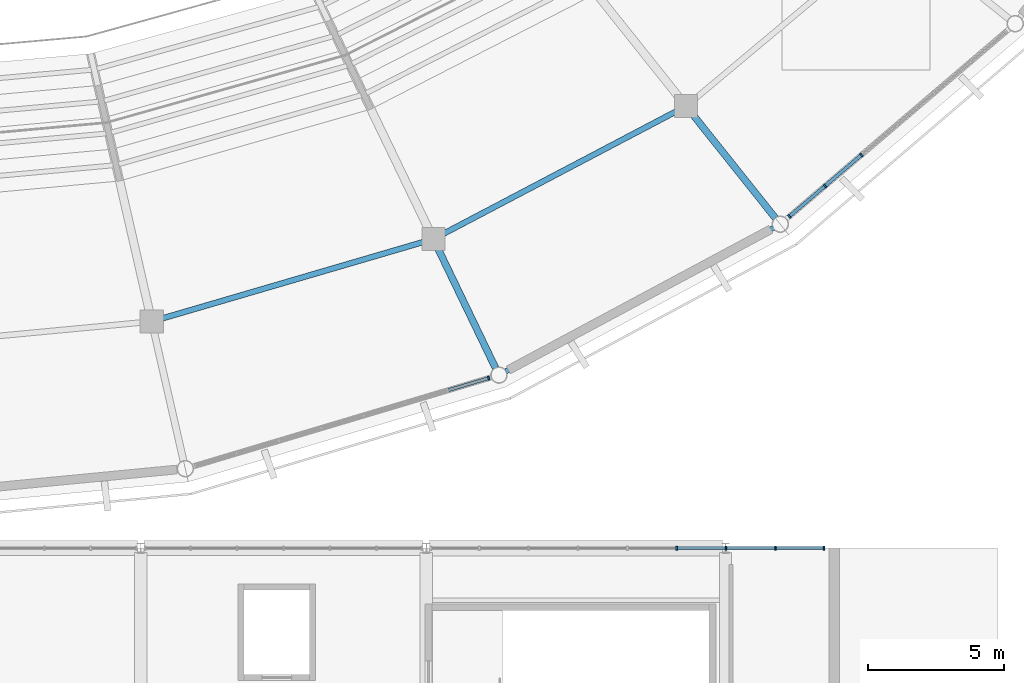
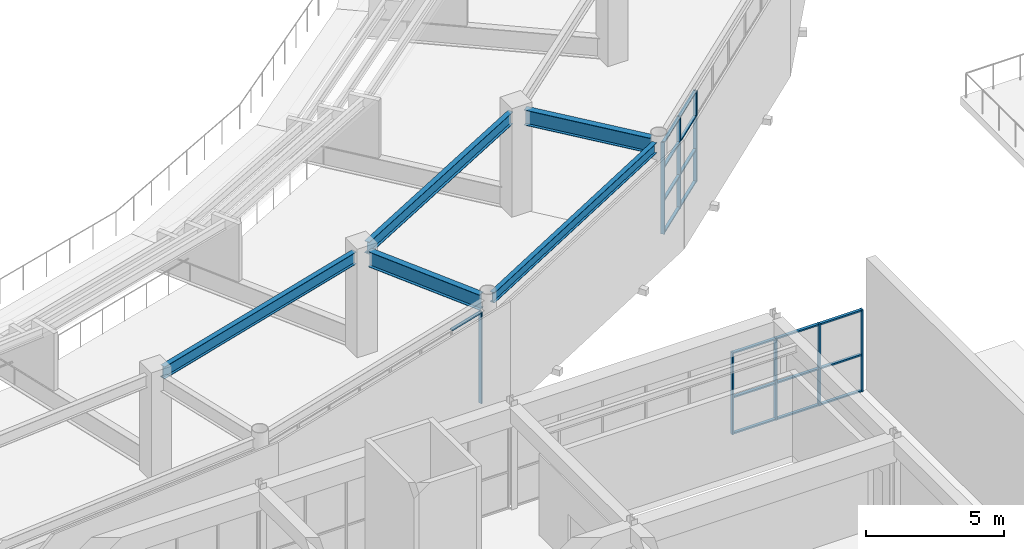
# One storey, part 37 of 122: 26 members, 5 beams, 3 elements without a shape of their own.
"""IFC4 building model written with IfcOpenShell, lengths in metres."""

from ifc_helpers import new_model, si_unit, direction, frame, origin, origin_2d, place, context, subcontext, project, spatial, rectangle, i_section, extrude, material, material_profile, profile_set, type_object, element, aggregate, save


model = new_model("IFC4")

# Units and contexts
model_context = context("Model", 3, precision=1e-05, world=origin(), true_north=direction((0.0, 1.0)))
body_context = subcontext(model_context, "Body", "Model", "MODEL_VIEW")
ifc_project = project(units=[si_unit("LENGTHUNIT", "METRE"), si_unit("AREAUNIT", "SQUARE_METRE"), si_unit("VOLUMEUNIT", "CUBIC_METRE"), si_unit("PLANEANGLEUNIT", "RADIAN"), si_unit("MASSUNIT", "GRAM", prefix="KILO")], contexts=[model_context])

# Site, building, storey
site_placement = place(None, origin())
site = spatial("IfcSite", under=ifc_project, at=site_placement, CompositionType="ELEMENT")
building_placement = place(site_placement, origin())
building = spatial("IfcBuilding", under=site, at=building_placement, Name="Cuetzalor Civic Arena", CompositionType="ELEMENT")
storey_placement = place(building_placement, frame((0.0, 0.0, 16.199951171875)))
storey = spatial("IfcBuildingStorey", under=building, at=storey_placement, Name="L03", CompositionType="ELEMENT", Elevation=16.199951171875)

# Curtain wall, member
ifc_material_1 = material(Name="Anodised dark bronze aluminium and low-E solar glass", Category="aluminium")
curtain_wall_type_1 = type_object("IfcCurtainWallType", Name="UnitisedCW_11300x4050", PredefinedType="USERDEFINED", material=ifc_material_1)
curtain_wall_1_placement = place(storey_placement, origin())
curtain_wall_1 = element("IfcCurtainWall", 1, at=curtain_wall_1_placement, inside=storey, type_object=curtain_wall_type_1, Name="Drum Triangle Foyer Curtain Wall L03-054", ObjectType="UNITISED CURTAIN WALL", PredefinedType="USERDEFINED")
ifc_material_2 = material(Name="Anodised dark bronze aluminium", Category="aluminium")
ifc_material_profile_1 = material_profile(ifc_material_2, rectangle(XDim=0.06494140625, YDim=0.14990234375, at=origin_2d()), Name="ALU MULLION 65x150")
ifc_profile_set_1 = profile_set([ifc_material_profile_1], Name="Anodised dark bronze aluminium")
member_type_1 = type_object("IfcMemberType", Name="CurtainWallMullion_60x150", PredefinedType="MULLION", material=ifc_profile_set_1)
member_1_placement = place(storey_placement, frame((23.290771484375, -42.052734375, 0.0), z_axis=(0.0, 0.0, 1.0), x_axis=(-0.958193690548, -0.286120344251, 0.0)))
member_1 = element("IfcMember", 2, at=member_1_placement, type_object=member_type_1, Name="CW-15 mullion 1", PredefinedType="MULLION", context=body_context, shape_type="SweptSolid", body=[
    extrude(rectangle(XDim=0.06494140625, YDim=0.14990234375, at=origin_2d()), origin(), (0.0, 0.0, 1.0), 4.052978515625),
])

# Curtain wall, members
ifc_material_3 = material(Name="Anodised dark bronze aluminium and low-E solar glass", Category="aluminium")
curtain_wall_type_2 = type_object("IfcCurtainWallType", Name="UnitisedCW_10550x4050", PredefinedType="USERDEFINED", material=ifc_material_3)
curtain_wall_2_placement = place(storey_placement, origin())
curtain_wall_2 = element("IfcCurtainWall", 3, at=curtain_wall_2_placement, inside=storey, type_object=curtain_wall_type_2, Name="Drum Triangle Foyer Curtain Wall L03-055", ObjectType="UNITISED CURTAIN WALL", PredefinedType="USERDEFINED")
member_2_placement = place(storey_placement, frame((36.9951171875, -33.84814453125, 0.0), z_axis=(0.0, 0.0, 1.0), x_axis=(-0.760677142663, -0.64913040649, 0.0)))
member_2 = element("IfcMember", 4, at=member_2_placement, type_object=member_type_1, Name="CW-16 mullion 5", PredefinedType="MULLION", context=body_context, shape_type="SweptSolid", body=[
    extrude(rectangle(XDim=0.06494140625, YDim=0.14990234375, at=origin_2d()), origin(), (0.0, 0.0, 1.0), 4.052978515625),
])
member_3_placement = place(storey_placement, frame((35.659912109375, -34.987548828125, 0.0), z_axis=(0.0, 0.0, 1.0), x_axis=(-0.760677142663, -0.64913040649, 0.0)))
member_3 = element("IfcMember", 5, at=member_3_placement, type_object=member_type_1, Name="CW-16 mullion 6", PredefinedType="MULLION", context=body_context, shape_type="SweptSolid", body=[
    extrude(rectangle(XDim=0.06494140625, YDim=0.14990234375, at=origin_2d()), origin(), (0.0, 0.0, 1.0), 4.052978515625),
])
member_4_placement = place(storey_placement, frame((34.349609375, -36.105712890625, 0.0), z_axis=(0.0, 0.0, 1.0), x_axis=(-0.760677142663, -0.64913040649, 0.0)))
member_4 = element("IfcMember", 6, at=member_4_placement, type_object=member_type_1, Name="CW-16 mullion 7", PredefinedType="MULLION", context=body_context, shape_type="SweptSolid", body=[
    extrude(rectangle(XDim=0.06494140625, YDim=0.14990234375, at=origin_2d()), origin(), (0.0, 0.0, 1.0), 4.052978515625),
])

ifc_material_4 = material(Name="Anodised dark bronze aluminium and low-E solar glass", Category="aluminium")
curtain_wall_type_3 = type_object("IfcCurtainWallType", Name="StickCW_14550x3600", PredefinedType="USERDEFINED", material=ifc_material_4)
curtain_wall_3_placement = place(storey_placement, origin())
curtain_wall_3 = element("IfcCurtainWall", 7, at=curtain_wall_3_placement, inside=storey, type_object=curtain_wall_type_3, Name="Foyer North Clerestory Curtain Wall L03-102", ObjectType="STICK CURTAIN WALL", PredefinedType="USERDEFINED")
member_5_placement = place(storey_placement, frame((30.202880859375, -48.300048828125, 0.0), z_axis=(0.0, 0.0, 1.0), x_axis=(1.0, 0.0, 0.0)))
member_5 = element("IfcMember", 8, at=member_5_placement, type_object=member_type_1, Name="CW-28 mullion 6", PredefinedType="MULLION", context=body_context, shape_type="SweptSolid", body=[
    extrude(rectangle(XDim=0.06494140625, YDim=0.14990234375, at=origin_2d()), origin(), (0.0, 0.0, 1.0), 3.6201171875),
])
member_6_placement = place(storey_placement, frame((32.0185546875, -48.300048828125, 0.0), z_axis=(0.0, 0.0, 1.0), x_axis=(1.0, 0.0, 0.0)))
member_6 = element("IfcMember", 9, at=member_6_placement, type_object=member_type_1, Name="CW-28 mullion 7", PredefinedType="MULLION", context=body_context, shape_type="SweptSolid", body=[
    extrude(rectangle(XDim=0.06494140625, YDim=0.14990234375, at=origin_2d()), origin(), (0.0, 0.0, 1.0), 3.6201171875),
])
member_7_placement = place(storey_placement, frame((33.834228515625, -48.300048828125, 0.0), z_axis=(0.0, 0.0, 1.0), x_axis=(1.0, 0.0, 0.0)))
member_7 = element("IfcMember", 10, at=member_7_placement, type_object=member_type_1, Name="CW-28 mullion 8", PredefinedType="MULLION", context=body_context, shape_type="SweptSolid", body=[
    extrude(rectangle(XDim=0.06494140625, YDim=0.14990234375, at=origin_2d()), origin(), (0.0, 0.0, 1.0), 3.6201171875),
])
member_8_placement = place(storey_placement, frame((35.617431640625, -48.300048828125, 0.0), z_axis=(0.0, 0.0, 1.0), x_axis=(1.0, 0.0, 0.0)))
member_8 = element("IfcMember", 11, at=member_8_placement, type_object=member_type_1, Name="CW-28 mullion 9", PredefinedType="MULLION", context=body_context, shape_type="SweptSolid", body=[
    extrude(rectangle(XDim=0.06494140625, YDim=0.14990234375, at=origin_2d()), origin(), (0.0, 0.0, 1.0), 3.6201171875),
])

# Member
ifc_material_5 = material(Name="Anodised dark bronze aluminium", Category="aluminium")
ifc_material_profile_2 = material_profile(ifc_material_5, rectangle(XDim=0.1201171875, YDim=0.06494140625, at=origin_2d()), Name="ALU TRANSOM 65x120")
ifc_profile_set_2 = profile_set([ifc_material_profile_2], Name="Anodised dark bronze aluminium")
member_type_2 = type_object("IfcMemberType", Name="CurtainWallTransom_60x120", PredefinedType="USERDEFINED", material=ifc_profile_set_2)
member_9_placement = place(storey_placement, frame((23.259765625, -42.06201171875, 4.0205078125), z_axis=(-0.958166375169, -0.286211805303, 0.0), x_axis=(0.286211805303, -0.958166375169, 0.0)))
member_9 = element("IfcMember", 12, at=member_9_placement, type_object=member_type_2, Name="CW-15 transom 1.4", ObjectType="TRANSOM", PredefinedType="USERDEFINED", context=body_context, shape_type="SweptSolid", body=[
    extrude(rectangle(XDim=0.1201171875, YDim=0.06494140625, at=origin_2d()), origin(), (0.0, 0.0, 1.0), 1.518310546875),
])

aggregate(curtain_wall_1, [member_1, member_9])

member_10_placement = place(storey_placement, frame((36.97021484375, -33.869384765625, 0.032470703125), z_axis=(-0.760661918834, -0.649148245963, 0.0), x_axis=(0.649148245963, -0.760661918834, 0.0)))
member_10 = element("IfcMember", 13, at=member_10_placement, type_object=member_type_2, Name="CW-16 transom 5.1", ObjectType="TRANSOM", PredefinedType="USERDEFINED", context=body_context, shape_type="SweptSolid", body=[
    extrude(rectangle(XDim=0.1201171875, YDim=0.06494140625, at=origin_2d()), origin(), (0.0, 0.0, 1.0), 1.690185546875),
])

member_11_placement = place(storey_placement, frame((36.97021484375, -33.869384765625, 1.458984375), z_axis=(-0.760661918834, -0.649148245963, 0.0), x_axis=(0.649148245963, -0.760661918834, 0.0)))
member_11 = element("IfcMember", 14, at=member_11_placement, type_object=member_type_2, Name="CW-16 transom 5.2", ObjectType="TRANSOM", PredefinedType="USERDEFINED", context=body_context, shape_type="SweptSolid", body=[
    extrude(rectangle(XDim=0.1201171875, YDim=0.06494140625, at=origin_2d()), origin(), (0.0, 0.0, 1.0), 1.690185546875),
])

member_12_placement = place(storey_placement, frame((36.97021484375, -33.869384765625, 2.91796875), z_axis=(-0.760661918834, -0.649148245963, 0.0), x_axis=(0.649148245963, -0.760661918834, 0.0)))
member_12 = element("IfcMember", 15, at=member_12_placement, type_object=member_type_2, Name="CW-16 transom 5.3", ObjectType="TRANSOM", PredefinedType="USERDEFINED", context=body_context, shape_type="SweptSolid", body=[
    extrude(rectangle(XDim=0.1201171875, YDim=0.06494140625, at=origin_2d()), origin(), (0.0, 0.0, 1.0), 1.690185546875),
])

member_13_placement = place(storey_placement, frame((36.97021484375, -33.869384765625, 4.0205078125), z_axis=(-0.760661918834, -0.649148245963, 0.0), x_axis=(0.649148245963, -0.760661918834, 0.0)))
member_13 = element("IfcMember", 16, at=member_13_placement, type_object=member_type_2, Name="CW-16 transom 5.4", ObjectType="TRANSOM", PredefinedType="USERDEFINED", context=body_context, shape_type="SweptSolid", body=[
    extrude(rectangle(XDim=0.1201171875, YDim=0.06494140625, at=origin_2d()), origin(), (0.0, 0.0, 1.0), 1.690185546875),
])

member_14_placement = place(storey_placement, frame((35.63525390625, -35.008544921875, 0.032470703125), z_axis=(-0.760647860906, -0.649164718465, 0.0), x_axis=(0.649164718465, -0.760647860906, 0.0)))
member_14 = element("IfcMember", 17, at=member_14_placement, type_object=member_type_2, Name="CW-16 transom 6.1", ObjectType="TRANSOM", PredefinedType="USERDEFINED", context=body_context, shape_type="SweptSolid", body=[
    extrude(rectangle(XDim=0.1201171875, YDim=0.06494140625, at=origin_2d()), origin(), (0.0, 0.0, 1.0), 1.65771484375),
])

member_15_placement = place(storey_placement, frame((35.63525390625, -35.008544921875, 1.458984375), z_axis=(-0.760647860906, -0.649164718465, 0.0), x_axis=(0.649164718465, -0.760647860906, 0.0)))
member_15 = element("IfcMember", 18, at=member_15_placement, type_object=member_type_2, Name="CW-16 transom 6.2", ObjectType="TRANSOM", PredefinedType="USERDEFINED", context=body_context, shape_type="SweptSolid", body=[
    extrude(rectangle(XDim=0.1201171875, YDim=0.06494140625, at=origin_2d()), origin(), (0.0, 0.0, 1.0), 1.65771484375),
])

member_16_placement = place(storey_placement, frame((35.63525390625, -35.008544921875, 2.91796875), z_axis=(-0.760647860906, -0.649164718465, 0.0), x_axis=(0.649164718465, -0.760647860906, 0.0)))
member_16 = element("IfcMember", 19, at=member_16_placement, type_object=member_type_2, Name="CW-16 transom 6.3", ObjectType="TRANSOM", PredefinedType="USERDEFINED", context=body_context, shape_type="SweptSolid", body=[
    extrude(rectangle(XDim=0.1201171875, YDim=0.06494140625, at=origin_2d()), origin(), (0.0, 0.0, 1.0), 1.65771484375),
])

member_17_placement = place(storey_placement, frame((35.63525390625, -35.008544921875, 4.0205078125), z_axis=(-0.760647860906, -0.649164718465, 0.0), x_axis=(0.649164718465, -0.760647860906, 0.0)))
member_17 = element("IfcMember", 20, at=member_17_placement, type_object=member_type_2, Name="CW-16 transom 6.4", ObjectType="TRANSOM", PredefinedType="USERDEFINED", context=body_context, shape_type="SweptSolid", body=[
    extrude(rectangle(XDim=0.1201171875, YDim=0.06494140625, at=origin_2d()), origin(), (0.0, 0.0, 1.0), 1.65771484375),
])

aggregate(curtain_wall_2, [member_2, member_3, member_4, member_10, member_11, member_12, member_13, member_14, member_15, member_16, member_17])

member_18_placement = place(storey_placement, frame((30.2353515625, -48.300048828125, 0.032470703125), z_axis=(1.0, 0.0, 0.0), x_axis=(0.0, 1.0, 0.0)))
member_18 = element("IfcMember", 21, at=member_18_placement, type_object=member_type_2, Name="CW-28 transom 6.1", ObjectType="TRANSOM", PredefinedType="USERDEFINED", context=body_context, shape_type="SweptSolid", body=[
    extrude(rectangle(XDim=0.1201171875, YDim=0.06494140625, at=origin_2d()), origin(), (0.0, 0.0, 1.0), 1.750732421875),
])

member_19_placement = place(storey_placement, frame((30.2353515625, -48.300048828125, 1.629150390625), z_axis=(1.0, 0.0, 0.0), x_axis=(0.0, 1.0, 0.0)))
member_19 = element("IfcMember", 22, at=member_19_placement, type_object=member_type_2, Name="CW-28 transom 6.2", ObjectType="TRANSOM", PredefinedType="USERDEFINED", context=body_context, shape_type="SweptSolid", body=[
    extrude(rectangle(XDim=0.1201171875, YDim=0.06494140625, at=origin_2d()), origin(), (0.0, 0.0, 1.0), 1.750732421875),
])

member_20_placement = place(storey_placement, frame((30.2353515625, -48.300048828125, 3.587646484375), z_axis=(1.0, 0.0, 0.0), x_axis=(0.0, 1.0, 0.0)))
member_20 = element("IfcMember", 23, at=member_20_placement, type_object=member_type_2, Name="CW-28 transom 6.3", ObjectType="TRANSOM", PredefinedType="USERDEFINED", context=body_context, shape_type="SweptSolid", body=[
    extrude(rectangle(XDim=0.1201171875, YDim=0.06494140625, at=origin_2d()), origin(), (0.0, 0.0, 1.0), 1.750732421875),
])

member_21_placement = place(storey_placement, frame((32.051025390625, -48.300048828125, 0.032470703125), z_axis=(1.0, 0.0, 0.0), x_axis=(0.0, 1.0, 0.0)))
member_21 = element("IfcMember", 24, at=member_21_placement, type_object=member_type_2, Name="CW-28 transom 7.1", ObjectType="TRANSOM", PredefinedType="USERDEFINED", context=body_context, shape_type="SweptSolid", body=[
    extrude(rectangle(XDim=0.1201171875, YDim=0.06494140625, at=origin_2d()), origin(), (0.0, 0.0, 1.0), 1.750732421875),
])

member_22_placement = place(storey_placement, frame((32.051025390625, -48.300048828125, 1.629150390625), z_axis=(1.0, 0.0, 0.0), x_axis=(0.0, 1.0, 0.0)))
member_22 = element("IfcMember", 25, at=member_22_placement, type_object=member_type_2, Name="CW-28 transom 7.2", ObjectType="TRANSOM", PredefinedType="USERDEFINED", context=body_context, shape_type="SweptSolid", body=[
    extrude(rectangle(XDim=0.1201171875, YDim=0.06494140625, at=origin_2d()), origin(), (0.0, 0.0, 1.0), 1.750732421875),
])

member_23_placement = place(storey_placement, frame((32.051025390625, -48.300048828125, 3.587646484375), z_axis=(1.0, 0.0, 0.0), x_axis=(0.0, 1.0, 0.0)))
member_23 = element("IfcMember", 26, at=member_23_placement, type_object=member_type_2, Name="CW-28 transom 7.3", ObjectType="TRANSOM", PredefinedType="USERDEFINED", context=body_context, shape_type="SweptSolid", body=[
    extrude(rectangle(XDim=0.1201171875, YDim=0.06494140625, at=origin_2d()), origin(), (0.0, 0.0, 1.0), 1.750732421875),
])

member_24_placement = place(storey_placement, frame((33.86669921875, -48.300048828125, 0.032470703125), z_axis=(1.0, 0.0, 0.0), x_axis=(0.0, 1.0, 0.0)))
member_24 = element("IfcMember", 27, at=member_24_placement, type_object=member_type_2, Name="CW-28 transom 8.1", ObjectType="TRANSOM", PredefinedType="USERDEFINED", context=body_context, shape_type="SweptSolid", body=[
    extrude(rectangle(XDim=0.1201171875, YDim=0.06494140625, at=origin_2d()), origin(), (0.0, 0.0, 1.0), 1.71826171875),
])

member_25_placement = place(storey_placement, frame((33.86669921875, -48.300048828125, 1.629150390625), z_axis=(1.0, 0.0, 0.0), x_axis=(0.0, 1.0, 0.0)))
member_25 = element("IfcMember", 28, at=member_25_placement, type_object=member_type_2, Name="CW-28 transom 8.2", ObjectType="TRANSOM", PredefinedType="USERDEFINED", context=body_context, shape_type="SweptSolid", body=[
    extrude(rectangle(XDim=0.1201171875, YDim=0.06494140625, at=origin_2d()), origin(), (0.0, 0.0, 1.0), 1.71826171875),
])

member_26_placement = place(storey_placement, frame((33.86669921875, -48.300048828125, 3.587646484375), z_axis=(1.0, 0.0, 0.0), x_axis=(0.0, 1.0, 0.0)))
member_26 = element("IfcMember", 29, at=member_26_placement, type_object=member_type_2, Name="CW-28 transom 8.3", ObjectType="TRANSOM", PredefinedType="USERDEFINED", context=body_context, shape_type="SweptSolid", body=[
    extrude(rectangle(XDim=0.1201171875, YDim=0.06494140625, at=origin_2d()), origin(), (0.0, 0.0, 1.0), 1.71826171875),
])

aggregate(curtain_wall_3, [member_5, member_6, member_7, member_8, member_18, member_19, member_20, member_21, member_22, member_23, member_24, member_25, member_26])

# Beams
ifc_material_6 = material(Name="Steel S355", Category="steel")
ifc_material_profile_3 = material_profile(ifc_material_6, i_section(OverallWidth=0.18994140625, OverallDepth=0.45703125, WebThickness=0.009033203125, FlangeThickness=0.014404296875, at=origin_2d()), Name="W460x74")
ifc_profile_set_3 = profile_set([ifc_material_profile_3], Name="Steel S355")
beam_type_1 = type_object("IfcBeamType", Name="FacadeSpandrelBeam_W460", PredefinedType="SPANDREL", material=ifc_profile_set_3)
beam_1_placement = place(storey_placement, frame((23.924072265625, -41.802978515625, 4.29150390625), z_axis=(0.881304552514, 0.472548712534, 0.0), x_axis=(-0.472548712534, 0.881304552514, 0.0)))
element("IfcBeam", 30, at=beam_1_placement, inside=storey, type_object=beam_type_1, Name="Drum Perimeter Spandrel L03-S24", PredefinedType="SPANDREL", context=body_context, shape_type="SweptSolid", body=[
    extrude(i_section(OverallWidth=0.18994140625, OverallDepth=0.45703125, WebThickness=0.009033203125, FlangeThickness=0.014404296875, at=origin_2d()), origin(), (0.0, 0.0, 1.0), 11.156005859375),
])
ifc_material_7 = material(Name="Steel S355", Category="steel")
ifc_material_profile_4 = material_profile(ifc_material_7, i_section(OverallWidth=0.208984375, OverallDepth=0.532958984375, WebThickness=0.01025390625, FlangeThickness=0.015625, at=origin_2d()), Name="W530x92")
ifc_profile_set_4 = profile_set([ifc_material_profile_4], Name="Steel S355")
beam_type_2 = type_object("IfcBeamType", Name="SteelCollarGirder_W530", PredefinedType="BEAM", material=ifc_profile_set_4)
beam_2_placement = place(storey_placement, frame((11.258544921875, -39.867919921875, 4.253662109375), z_axis=(0.959716323112, 0.280970779889, 0.0), x_axis=(-0.280970779889, 0.959716323112, 0.0)))
element("IfcBeam", 31, at=beam_2_placement, inside=storey, type_object=beam_type_2, Name="Drum Concourse Ring Girder L03-S23", PredefinedType="BEAM", context=body_context, shape_type="SweptSolid", body=[
    extrude(i_section(OverallWidth=0.208984375, OverallDepth=0.532958984375, WebThickness=0.01025390625, FlangeThickness=0.015625, at=origin_2d()), origin(), (0.0, 0.0, 1.0), 10.0517578125),
])
beam_3_placement = place(storey_placement, frame((21.587890625, -36.767578125, 4.253662109375), z_axis=(0.885117354883, 0.465367884673, 0.0), x_axis=(-0.465367884673, 0.885117354883, 0.0)))
element("IfcBeam", 32, at=beam_3_placement, inside=storey, type_object=beam_type_2, Name="Drum Concourse Ring Girder L03-S24", PredefinedType="BEAM", context=body_context, shape_type="SweptSolid", body=[
    extrude(i_section(OverallWidth=0.208984375, OverallDepth=0.532958984375, WebThickness=0.01025390625, FlangeThickness=0.015625, at=origin_2d()), origin(), (0.0, 0.0, 1.0), 9.75634765625),
])
ifc_material_8 = material(Name="Steel S355", Category="steel")
ifc_material_profile_5 = material_profile(ifc_material_8, i_section(OverallWidth=0.2529296875, OverallDepth=0.677978515625, WebThickness=0.01171875, FlangeThickness=0.016357421875, at=origin_2d()), Name="W690x125")
ifc_profile_set_5 = profile_set([ifc_material_profile_5], Name="Steel S355")
beam_type_3 = type_object("IfcBeamType", Name="SteelPrimaryGirder_W690", PredefinedType="BEAM", material=ifc_profile_set_5)
for number, where, z_axis, x_axis, name in (
    (33, (21.41650390625, -37.263916015625, 4.18115234375), (0.433871046232, -0.900974980364, 0.0), (0.900974980364, 0.433871046232, 0.0), "Drum Radial Girder L03-R24"),
    (34, (30.775390625, -32.336669921875, 4.18115234375), (0.623515538789, -0.781810957258, 0.0), (0.781810957258, 0.623515538789, 0.0), "Drum Radial Girder L03-R25"),
):
    element("IfcBeam", number, at=place(storey_placement, frame(where, z_axis=z_axis, x_axis=x_axis)), inside=storey, type_object=beam_type_3, Name=name, PredefinedType="BEAM", context=body_context, shape_type="SweptSolid", body=[
        extrude(i_section(OverallWidth=0.2529296875, OverallDepth=0.677978515625, WebThickness=0.01171875, FlangeThickness=0.016357421875, at=origin_2d()), origin(), (0.0, 0.0, 1.0), 4.89990234375),
    ])

save(model, "model.ifc")
